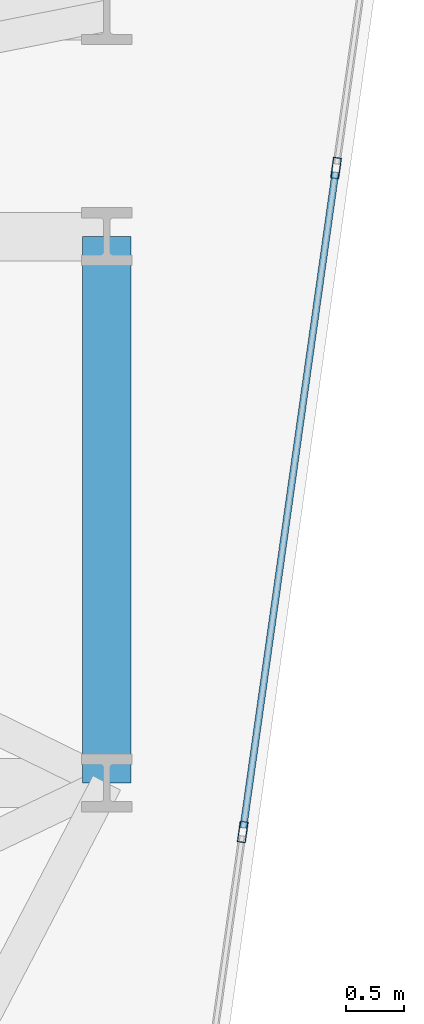
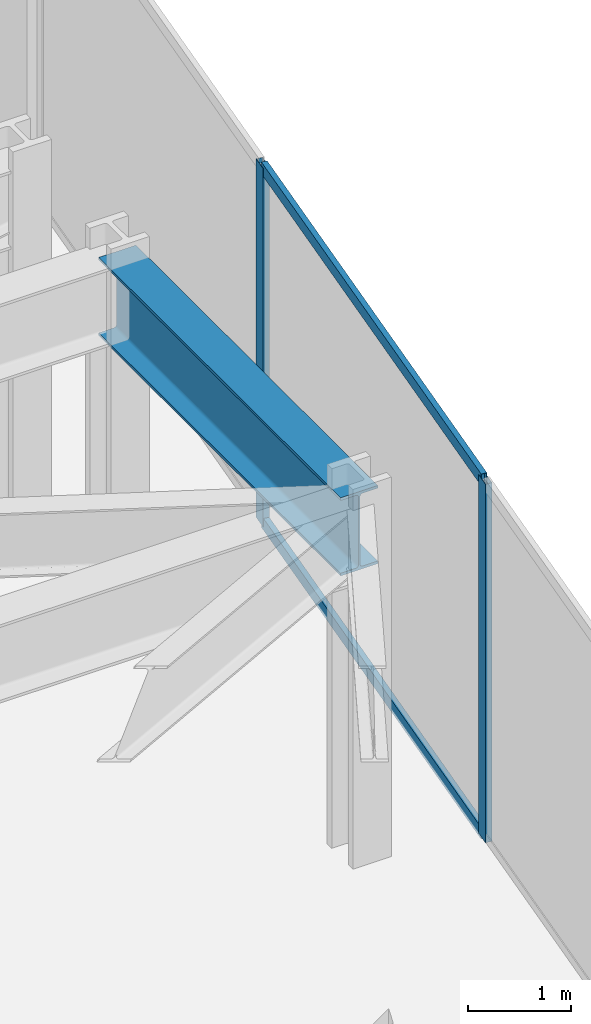
# One storey, part 19 of 28: 4 members, 1 beam, 1 element without a shape of its own.
"""IFC4 building model written with IfcOpenShell, lengths in metres."""

import ifcopenshell
import ifcopenshell.guid

model = None  # the IFC model being written
_history = None  # IfcOwnerHistory: only IFC2X3 demands one
_inside = {}  # id of a spatial element -> (the spatial element, [elements in it])
_under = {}  # id of a project, library or spatial element -> (it, [spatial elements below it])
_declared = {}  # id of a project -> (the project, [libraries it declares])
_typed = {}  # id of a type object -> (the type object, [elements of that type])
_made_of = {}  # id of a material, layer set ... -> (it, [elements and type objects made of it])


def new_model(schema):
    """Start an empty IFC model of exactly this schema.

    Asked for "IFC4X3", IfcOpenShell would pick the latest addendum, in which some entities
    have other attributes; the version numbers below select the first issue.
    IFC2X3 requires an IfcOwnerHistory on every rooted entity: one is made here for all.
    """
    global model, _history
    if schema == "IFC4X3":
        model = ifcopenshell.file(schema_version=(4, 3, 0, 0))
    else:
        model = ifcopenshell.file(schema=schema)
    _inside.clear()
    _under.clear()
    _declared.clear()
    _typed.clear()
    _made_of.clear()
    _history = None
    if model.schema == "IFC2X3":
        org = make("IfcOrganization", Name="unknown")
        user = make(
            "IfcPersonAndOrganization",
            ThePerson=make("IfcPerson", FamilyName="unknown"),
            TheOrganization=org,
        )
        app = make(
            "IfcApplication",
            ApplicationDeveloper=org,
            Version="unknown",
            ApplicationFullName="unknown",
            ApplicationIdentifier="unknown",
        )
        _history = make(
            "IfcOwnerHistory",
            OwningUser=user,
            OwningApplication=app,
            ChangeAction="ADDED",
            CreationDate=0,
        )
    return model


def make(cls, **values):
    """One entity of the class cls with the attributes given. An attribute that is None is left unset."""
    return model.create_entity(
        cls, **{name: value for name, value in values.items() if value is not None}
    )


def rooted(cls, **values):
    """An entity with a GlobalId (a new one), such as an element, a storey or a relation."""
    return make(cls, GlobalId=ifcopenshell.guid.new(), OwnerHistory=_history, **values)


def si_unit(unit_type, name, prefix=None):
    """IfcSIUnit, for example si_unit("LENGTHUNIT", "METRE", prefix="MILLI")."""
    return make("IfcSIUnit", UnitType=unit_type, Prefix=prefix, Name=name)


def assignment(units):
    """IfcUnitAssignment: the units of a project."""
    return None if units is None else make("IfcUnitAssignment", Units=units)


def point(xyz):
    """IfcCartesianPoint."""
    return None if xyz is None else make("IfcCartesianPoint", Coordinates=xyz)


def direction(xyz):
    """IfcDirection."""
    return None if xyz is None else make("IfcDirection", DirectionRatios=xyz)


def frame(location, z_axis=None, x_axis=None):
    """IfcAxis2Placement3D, a coordinate frame: its origin and axes. An axis left out is left unset."""
    return make(
        "IfcAxis2Placement3D",
        Location=point(location),
        Axis=direction(z_axis),
        RefDirection=direction(x_axis),
    )


def frame_2d(location, x_axis=None):
    """IfcAxis2Placement2D, a coordinate frame in the plane: its origin and x axis."""
    return make(
        "IfcAxis2Placement2D", Location=point(location), RefDirection=direction(x_axis)
    )


def origin():
    """The frame at (0, 0, 0) with its axes left unset."""
    return frame((0.0, 0.0, 0.0))


def origin_2d():
    """The frame at (0, 0) in the plane with its x axis left unset."""
    return frame_2d((0.0, 0.0))


def place(relative_to, where):
    """IfcLocalPlacement: puts the frame where relative to a parent placement (None: the world)."""
    return make(
        "IfcLocalPlacement", PlacementRelTo=relative_to, RelativePlacement=where
    )


def context(
    kind, dimensions, precision=None, world=None, true_north=None, identifier=None
):
    """IfcGeometricRepresentationContext, for example the 3D "Model" context."""
    return make(
        "IfcGeometricRepresentationContext",
        ContextIdentifier=identifier,
        ContextType=kind,
        CoordinateSpaceDimension=dimensions,
        Precision=precision,
        WorldCoordinateSystem=world,
        TrueNorth=true_north,
    )


def subcontext(parent, identifier, kind, view, scale=None):
    """IfcGeometricRepresentationSubContext, for example "Body" below "Model"."""
    return make(
        "IfcGeometricRepresentationSubContext",
        ContextIdentifier=identifier,
        ContextType=kind,
        ParentContext=parent,
        TargetScale=scale,
        TargetView=view,
    )


def project(units=None, contexts=None):
    """IfcProject with its units and contexts."""
    return rooted(
        "IfcProject",
        Name="project",
        RepresentationContexts=contexts,
        UnitsInContext=assignment(units),
    )


def spatial(cls, under=None, at=None, **own):
    """A site, building, storey or space (cls), placed at a placement, below another one or the project."""
    s = rooted(cls, ObjectPlacement=at, **own)
    if under is not None:
        _under.setdefault(under.id(), (under, []))[1].append(s)
    return s


def profile(cls, at=None, kind="AREA", **sizes):
    """A parametric profile (cls). Its sizes go by their IFC names, for example OverallWidth=200.0."""
    return make(cls, ProfileType=kind, Position=at, **sizes)


def hollow_rectangle(**sizes):
    """IfcRectangleHollowProfileDef."""
    return profile("IfcRectangleHollowProfileDef", **sizes)


def i_section(**sizes):
    """IfcIShapeProfileDef."""
    return profile("IfcIShapeProfileDef", **sizes)


def extrude(swept, where, along, depth):
    """IfcExtrudedAreaSolid: the profile swept, set in the frame where, extruded along a direction by depth."""
    return make(
        "IfcExtrudedAreaSolid",
        SweptArea=swept,
        Position=where,
        ExtrudedDirection=direction(along),
        Depth=depth,
    )


def shape(context_of_items, identifier, shape_type, items):
    """IfcShapeRepresentation: the items that make up one representation, for example the "Body"."""
    return make(
        "IfcShapeRepresentation",
        ContextOfItems=context_of_items,
        RepresentationIdentifier=identifier,
        RepresentationType=shape_type,
        Items=items,
    )


def material(Name=None, Category=None):
    """IfcMaterial."""
    return make("IfcMaterial", Name=Name, Category=Category)


def layer(
    of_material, thickness, ventilated=None, Name=None, Category=None, Priority=None
):
    """IfcMaterialLayer: one layer of a wall or slab, of a material (None: an air gap)."""
    return make(
        "IfcMaterialLayer",
        Material=of_material,
        LayerThickness=thickness,
        IsVentilated=ventilated,
        Name=Name,
        Category=Category,
        Priority=Priority,
    )


def layer_set(layers, Name=None):
    """IfcMaterialLayerSet."""
    return make("IfcMaterialLayerSet", MaterialLayers=layers, LayerSetName=Name)


def material_profile(
    of_material, cross_section, Name=None, Category=None, Priority=None
):
    """IfcMaterialProfile: a cross section and its material."""
    return make(
        "IfcMaterialProfile",
        Name=Name,
        Material=of_material,
        Profile=cross_section,
        Priority=Priority,
        Category=Category,
    )


def profile_set(profiles, Name=None, composite=None):
    """IfcMaterialProfileSet."""
    return make(
        "IfcMaterialProfileSet",
        Name=Name,
        MaterialProfiles=profiles,
        CompositeProfile=composite,
    )


def made_of(thing, what):
    """Note that an element or type object is made of a material, layer set ...; save() writes the relation."""
    if what is not None:
        _made_of.setdefault(what.id(), (what, []))[1].append(thing)
    return thing


def type_object(cls, material=None, **own):
    """A type object (cls), such as IfcWallType, which elements share."""
    return made_of(rooted(cls, **own), material)


def element(
    cls,
    number,
    at=None,
    inside=None,
    cuts=None,
    type_object=None,
    material=None,
    context=None,
    identifier="Body",
    shape_type=None,
    held_by="IfcProductDefinitionShape",
    body=None,
    shapes=None,
    **own,
):
    """One element of the class cls, such as IfcWall. Its Tag is "e" and its number.

    at: its placement. inside: the storey or other place that contains it. cuts: it is an
    opening in that element (IfcRelVoidsElement). A single representation is given by context,
    identifier, shape_type and body (its items); several are given by shapes. held_by: the class
    of the entity that holds the representations. save() writes the other relations.
    """
    e = rooted(cls, Tag="e%d" % number, ObjectPlacement=at, **own)
    if body is not None:
        shapes = [shape(context, identifier, shape_type, body)]
    if shapes is not None:
        e.Representation = make(held_by, Representations=shapes)
    if inside is not None:
        _inside.setdefault(inside.id(), (inside, []))[1].append(e)
    if cuts is not None:
        rooted(
            "IfcRelVoidsElement", RelatingBuildingElement=cuts, RelatedOpeningElement=e
        )
    if type_object is not None:
        _typed.setdefault(type_object.id(), (type_object, []))[1].append(e)
    return made_of(e, material)


def aggregate(whole, parts):
    """IfcRelAggregates: a whole, such as a stair, and the parts it consists of."""
    return rooted("IfcRelAggregates", RelatingObject=whole, RelatedObjects=parts)


def save(model, path):
    """Write the relations noted so far, then the file.

    IfcRelAggregates (storeys below a building ...), IfcRelContainedInSpatialStructure (elements
    in a storey), IfcRelDefinesByType, IfcRelAssociatesMaterial and IfcRelDeclares: one each for
    every whole, place, type object, material and project.
    """
    for whole, parts in _under.values():
        aggregate(whole, parts)
    for where, things in _inside.values():
        rooted(
            "IfcRelContainedInSpatialStructure",
            RelatedElements=things,
            RelatingStructure=where,
        )
    for kind, things in _typed.values():
        rooted("IfcRelDefinesByType", RelatedObjects=things, RelatingType=kind)
    for what, things in _made_of.values():
        rooted("IfcRelAssociatesMaterial", RelatedObjects=things, RelatingMaterial=what)
    for by, libraries in _declared.values():
        rooted("IfcRelDeclares", RelatingContext=by, RelatedDefinitions=libraries)
    model.write(path)


model = new_model("IFC4")

# Units and contexts
model_context = context("Model", 3, precision=1e-05, world=origin(), true_north=direction((0.0, 1.0)))
body_context = subcontext(model_context, "Body", "Model", "MODEL_VIEW")
ifc_project = project(units=[si_unit("LENGTHUNIT", "METRE"), si_unit("AREAUNIT", "SQUARE_METRE"), si_unit("VOLUMEUNIT", "CUBIC_METRE"), si_unit("PLANEANGLEUNIT", "RADIAN"), si_unit("MASSUNIT", "GRAM", prefix="KILO")], contexts=[model_context])

# Site, building, storey
site_placement = place(None, origin())
site = spatial("IfcSite", under=ifc_project, at=site_placement, CompositionType="ELEMENT")
building_placement = place(site_placement, origin())
building = spatial("IfcBuilding", under=site, at=building_placement, Name="Kravanh Interchange Tower", CompositionType="ELEMENT")
storey_placement = place(building_placement, frame((0.0, 0.0, 91.5)))
storey = spatial("IfcBuildingStorey", under=building, at=storey_placement, Name="L21", CompositionType="ELEMENT", Elevation=91.5)

# Curtain wall, members
ifc_material_1 = material(Name="Anodised Bronze Aluminium", Category="aluminium")
ifc_layer = layer(ifc_material_1, 0.179931640625)
ifc_layer_set = layer_set([ifc_layer], Name="Unitised Curtain Wall System CW-SKY Sky Observatory")
curtain_wall_type = type_object("IfcCurtainWallType", Name="Unitised Curtain Wall System CW-SKY Sky Observatory", PredefinedType="NOTDEFINED", material=ifc_layer_set)
curtain_wall_placement = place(storey_placement, origin())
curtain_wall = element("IfcCurtainWall", 1, at=curtain_wall_placement, inside=storey, type_object=curtain_wall_type, Name="L21 Unitised Curtain Wall CW-L21-02", PredefinedType="NOTDEFINED")
ifc_material_2 = material(Name="Anodised Bronze Aluminium", Category="aluminium")
ifc_material_profile_1 = material_profile(ifc_material_2, hollow_rectangle(XDim=0.070068359375, YDim=0.179931640625, WallThickness=0.00390625, at=origin_2d()), Name="ALU70X180X4")
ifc_profile_set_1 = profile_set([ifc_material_profile_1], Name="Anodised Bronze Aluminium")
member_type_1 = type_object("IfcMemberType", Name="Curtain Wall Mullion ALU70X180X4 Bronze", PredefinedType="MULLION", material=ifc_profile_set_1)
member_1_placement = place(storey_placement, frame((67.572509765625, 32.08935546875, 0.0), z_axis=(0.0, 0.0, 1.0), x_axis=(0.990267585682, -0.139176538065, 0.0)))
member_1 = element("IfcMember", 2, at=member_1_placement, type_object=member_type_1, Name="CW-SKY mullion 2", PredefinedType="MULLION", context=body_context, shape_type="SweptSolid", body=[
    extrude(hollow_rectangle(XDim=0.070068359375, YDim=0.179931640625, WallThickness=0.00390625, at=origin_2d()), origin(), (0.0, 0.0, 1.0), 4.25),
])
member_2_placement = place(storey_placement, frame((66.77001953125, 26.37890625, 0.0), z_axis=(0.0, 0.0, 1.0), x_axis=(0.990267585682, -0.139176538065, 0.0)))
member_2 = element("IfcMember", 3, at=member_2_placement, type_object=member_type_1, Name="CW-SKY mullion 3", PredefinedType="MULLION", context=body_context, shape_type="SweptSolid", body=[
    extrude(hollow_rectangle(XDim=0.070068359375, YDim=0.179931640625, WallThickness=0.00390625, at=origin_2d()), origin(), (0.0, 0.0, 1.0), 4.25),
])
ifc_material_3 = material(Name="Anodised Bronze Aluminium", Category="aluminium")
ifc_material_profile_2 = material_profile(ifc_material_3, hollow_rectangle(XDim=0.06005859375, YDim=0.139892578125, WallThickness=0.00390625, at=origin_2d()), Name="ALU60X140X4")
ifc_profile_set_2 = profile_set([ifc_material_profile_2], Name="Anodised Bronze Aluminium")
member_type_2 = type_object("IfcMemberType", Name="Curtain Wall Transom ALU60X140X4 Bronze", PredefinedType="USERDEFINED", material=ifc_profile_set_2)
member_3_placement = place(storey_placement, frame((67.567626953125, 32.0546875, 0.030029296875), z_axis=(-0.139158957544, -0.990270056366, 0.0), x_axis=(0.990270056366, -0.139158957544, 0.0)))
member_3 = element("IfcMember", 4, at=member_3_placement, type_object=member_type_2, Name="CW-SKY transom 2.1", ObjectType="TRANSOM", PredefinedType="USERDEFINED", context=body_context, shape_type="SweptSolid", body=[
    extrude(hollow_rectangle(XDim=0.06005859375, YDim=0.139892578125, WallThickness=0.00390625, at=origin_2d()), origin(), (0.0, 0.0, 1.0), 5.696533203125),
])
member_4_placement = place(storey_placement, frame((67.567626953125, 32.0546875, 4.219970703125), z_axis=(-0.139158957544, -0.990270056366, 0.0), x_axis=(0.990270056366, -0.139158957544, 0.0)))
member_4 = element("IfcMember", 5, at=member_4_placement, type_object=member_type_2, Name="CW-SKY transom 2.2", ObjectType="TRANSOM", PredefinedType="USERDEFINED", context=body_context, shape_type="SweptSolid", body=[
    extrude(hollow_rectangle(XDim=0.06005859375, YDim=0.139892578125, WallThickness=0.00390625, at=origin_2d()), origin(), (0.0, 0.0, 1.0), 5.696533203125),
])
aggregate(curtain_wall, [member_1, member_2, member_3, member_4])

# Beam
ifc_material_4 = material(Name="Structural Steel S355", Category="steel")
ifc_material_profile_3 = material_profile(ifc_material_4, i_section(OverallWidth=0.41796875, OverallDepth=0.927001953125, WebThickness=0.019287109375, FlangeThickness=0.031982421875, FilletRadius=0.028076171875, at=origin_2d()), Name="W36X231")
ifc_profile_set_3 = profile_set([ifc_material_profile_3], Name="Structural Steel S355")
beam_type = type_object("IfcBeamType", Name="Floor Beam W36X231 Structural Steel S355", PredefinedType="BEAM", material=ifc_profile_set_3)
beam_placement = place(storey_placement, frame((65.60009765625, 26.800048828125, 3.78662109375), z_axis=(0.0, 1.0, 0.0), x_axis=(-1.0, 0.0, 0.0)))
element("IfcBeam", 6, at=beam_placement, inside=storey, type_object=beam_type, Name="L21 Primary Floor Girder 98", PredefinedType="BEAM", context=body_context, shape_type="SweptSolid", body=[
    extrude(i_section(OverallWidth=0.41796875, OverallDepth=0.927001953125, WebThickness=0.019287109375, FlangeThickness=0.031982421875, FilletRadius=0.028076171875, at=origin_2d()), origin(), (0.0, 0.0, 1.0), 4.699951171875),
])

save(model, "model.ifc")
